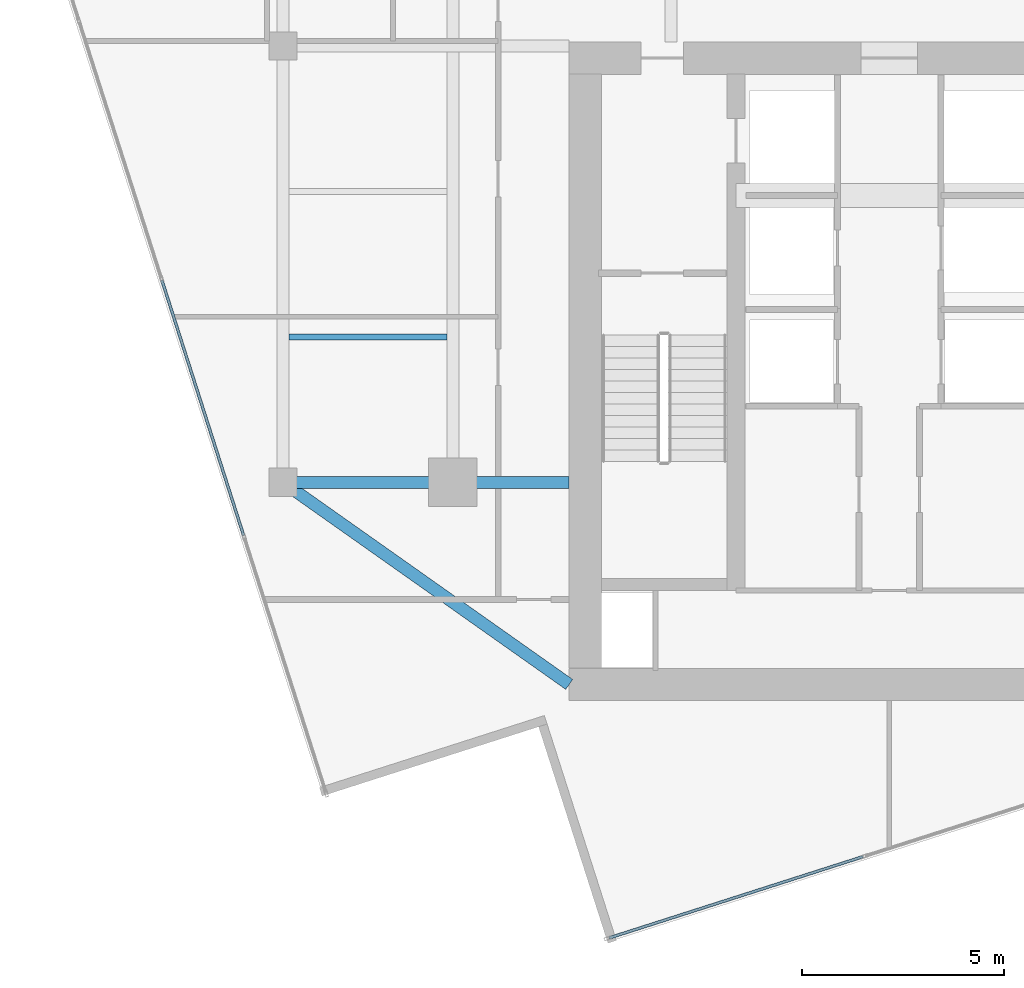
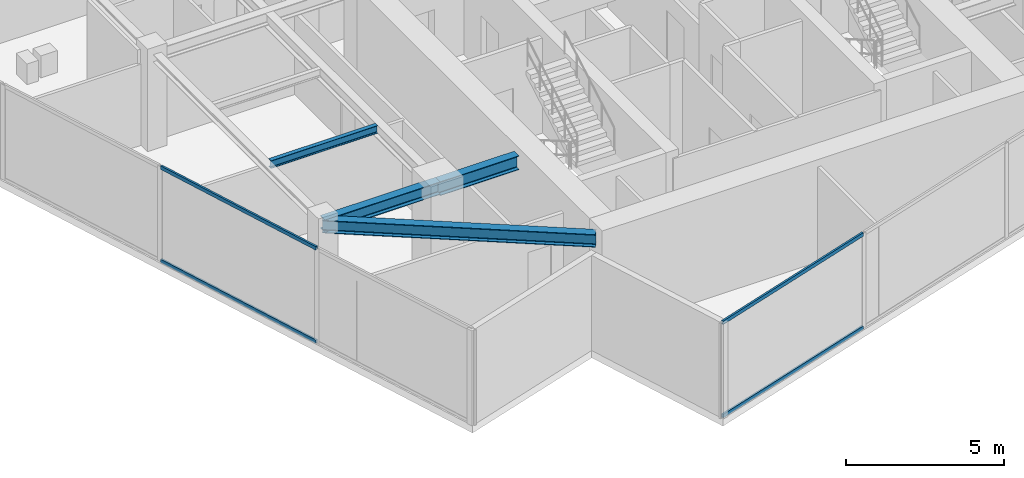
# One storey, part 3 of 21: 4 beams, 4 members, 2 elements without a shape of their own.
"""IFC4 building model written with IfcOpenShell, lengths in metres."""

from ifc_helpers import new_model, si_unit, direction, frame, origin, origin_2d, place, context, subcontext, project, spatial, hollow_rectangle, i_section, extrude, source, transform, mapped, material, material_profile, profile_set, type_object, type_shapes, element, aggregate, save


model = new_model("IFC4")

# Units and contexts
model_context = context("Model", 3, precision=1e-05, world=origin(), true_north=direction((0.0, 1.0)))
body_context = subcontext(model_context, "Body", "Model", "MODEL_VIEW")
ifc_project = project(units=[si_unit("LENGTHUNIT", "METRE"), si_unit("AREAUNIT", "SQUARE_METRE"), si_unit("VOLUMEUNIT", "CUBIC_METRE"), si_unit("PLANEANGLEUNIT", "RADIAN"), si_unit("MASSUNIT", "GRAM", prefix="KILO")], contexts=[model_context])

# Site, building, storey
site_placement = place(None, origin())
site = spatial("IfcSite", under=ifc_project, at=site_placement, CompositionType="ELEMENT")
building_placement = place(site_placement, origin())
building = spatial("IfcBuilding", under=site, at=building_placement, Name="Krantzveldt Concourse Tower", CompositionType="ELEMENT")
storey_placement = place(building_placement, frame((0.0, 0.0, 343.5)))
storey = spatial("IfcBuildingStorey", under=building, at=storey_placement, Name="L84", CompositionType="ELEMENT", Elevation=343.5)

# Beams
ifc_material_1 = material(Name="Steel S355JR", Category="steel")
ifc_material_profile_1 = material_profile(ifc_material_1, i_section(OverallWidth=0.300048828125, OverallDepth=0.489990234375, WebThickness=0.011962890625, FlangeThickness=0.02294921875, FilletRadius=0.027099609375, at=origin_2d()), Name="Steel S355JR", Category="steel")
ifc_profile_set_1 = profile_set([ifc_material_profile_1], Name="Steel S355JR - HEA 500")
beam_type_1 = type_object("IfcBeamType", Name="BM-B-HEA500", PredefinedType="BEAM", material=ifc_profile_set_1)
shared_shape_1 = source(origin(), body_context, "Body", "SweptSolid", [
    extrude(i_section(OverallWidth=0.300048828125, OverallDepth=0.489990234375, WebThickness=0.011962890625, FlangeThickness=0.02294921875, FilletRadius=0.027099609375, at=origin_2d()), origin(), (0.0, 0.0, 1.0), 4.199951171875),
])
beam_1_placement = place(storey_placement, frame((21.0, 15.89990234375, 3.425048828125), z_axis=(1.0, 0.0, 0.0), x_axis=(0.0, 1.0, 0.0)))
element("IfcBeam", 1, at=beam_1_placement, inside=storey, type_object=beam_type_1, Name="L84 Tower Girder BR-RL1", PredefinedType="BEAM", context=body_context, shape_type="MappedRepresentation", body=[
    mapped(shared_shape_1, transform((0.0, 0.0, 0.0), x_axis=(1.0, 0.0, 0.0), y_axis=(0.0, 1.0, 0.0), z_axis=(0.0, 0.0, 1.0), scale=1.0)),
])
shared_shape_2 = source(origin(), body_context, "Body", "SweptSolid", [
    extrude(i_section(OverallWidth=0.300048828125, OverallDepth=0.489990234375, WebThickness=0.011962890625, FlangeThickness=0.02294921875, FilletRadius=0.027099609375, at=origin_2d()), origin(), (0.0, 0.0, 1.0), 8.667724609375),
])
type_shapes(beam_type_1, [shared_shape_1, shared_shape_2])
beam_2_placement = place(storey_placement, frame((21.0, 15.89990234375, 3.425048828125), z_axis=(0.81684294656, -0.576860122261, 0.0), x_axis=(0.576860122261, 0.81684294656, 0.0)))
element("IfcBeam", 2, at=beam_2_placement, inside=storey, type_object=beam_type_1, Name="L84 Tower Girder BR-CSW", PredefinedType="BEAM", context=body_context, shape_type="MappedRepresentation", body=[
    mapped(shared_shape_2, transform((0.0, 0.0, 0.0), x_axis=(1.0, 0.0, 0.0), y_axis=(0.0, 1.0, 0.0), z_axis=(0.0, 0.0, 1.0), scale=1.0)),
])
ifc_material_profile_2 = material_profile(ifc_material_1, i_section(OverallWidth=0.300048828125, OverallDepth=0.5400390625, WebThickness=0.012451171875, FlangeThickness=0.02392578125, FilletRadius=0.027099609375, at=origin_2d()), Name="Steel S355JR", Category="steel")
ifc_profile_set_2 = profile_set([ifc_material_profile_2], Name="Steel S355JR - HEA 550")
beam_type_2 = type_object("IfcBeamType", Name="BM-B-HEA550", PredefinedType="BEAM", material=ifc_profile_set_2)
shared_shape_3 = source(origin(), body_context, "Body", "SweptSolid", [
    extrude(i_section(OverallWidth=0.300048828125, OverallDepth=0.5400390625, WebThickness=0.012451171875, FlangeThickness=0.02392578125, FilletRadius=0.027099609375, at=origin_2d()), origin(), (0.0, 0.0, 1.0), 2.880126953125),
])
type_shapes(beam_type_2, [shared_shape_3])
beam_3_placement = place(storey_placement, frame((25.199951171875, 15.89990234375, 3.39990234375), z_axis=(1.0, 0.0, 0.0), x_axis=(0.0, 1.0, 0.0)))
element("IfcBeam", 3, at=beam_3_placement, inside=storey, type_object=beam_type_2, Name="L84 Tower Girder BG-CW1", PredefinedType="BEAM", context=body_context, shape_type="MappedRepresentation", body=[
    mapped(shared_shape_3, transform((0.0, 0.0, 0.0), x_axis=(1.0, 0.0, 0.0), y_axis=(0.0, 1.0, 0.0), z_axis=(0.0, 0.0, 1.0), scale=1.0)),
])
ifc_material_profile_3 = material_profile(ifc_material_1, i_section(OverallWidth=0.14990234375, OverallDepth=0.300048828125, WebThickness=0.007080078125, FlangeThickness=0.0107421875, FilletRadius=0.014892578125, at=origin_2d()), Name="Steel S355JR", Category="steel")
ifc_profile_set_3 = profile_set([ifc_material_profile_3], Name="Steel S355JR - IPE 300")
beam_type_3 = type_object("IfcBeamType", Name="BM-J-IPE300", PredefinedType="JOIST", material=ifc_profile_set_3)
shared_shape_4 = source(origin(), body_context, "Body", "SweptSolid", [
    extrude(i_section(OverallWidth=0.14990234375, OverallDepth=0.300048828125, WebThickness=0.007080078125, FlangeThickness=0.0107421875, FilletRadius=0.014892578125, at=origin_2d()), origin(), (0.0, 0.0, 1.0), 3.900146484375),
])
type_shapes(beam_type_3, [shared_shape_4])
beam_4_placement = place(storey_placement, frame((21.14990234375, 19.5, 3.52001953125), z_axis=(1.0, 0.0, 0.0), x_axis=(0.0, 1.0, 0.0)))
element("IfcBeam", 4, at=beam_4_placement, inside=storey, type_object=beam_type_3, Name="L84 Secondary Floor Joist JW-1", PredefinedType="JOIST", context=body_context, shape_type="MappedRepresentation", body=[
    mapped(shared_shape_4, transform((0.0, 0.0, 0.0), x_axis=(1.0, 0.0, 0.0), y_axis=(0.0, 1.0, 0.0), z_axis=(0.0, 0.0, 1.0), scale=1.0)),
])

# Curtain wall, members
ifc_material_2 = material(Name="Anodised aluminium 6063-T6", Category="aluminium")
curtain_wall_type = type_object("IfcCurtainWallType", Name="CW4", PredefinedType="USERDEFINED", material=ifc_material_2)
curtain_wall_1_placement = place(storey_placement, origin())
curtain_wall_1 = element("IfcCurtainWall", 5, at=curtain_wall_1_placement, inside=storey, type_object=curtain_wall_type, Name="CW-L84-F07", ObjectType="UNITISED CURTAIN WALL", PredefinedType="USERDEFINED")
ifc_material_profile_4 = material_profile(ifc_material_2, hollow_rectangle(XDim=0.070068359375, YDim=0.139892578125, WallThickness=0.0048828125, at=origin_2d()), Name="Anodised aluminium 6063-T6", Category="aluminium")
ifc_profile_set_4 = profile_set([ifc_material_profile_4], Name="Anodised aluminium 6063-T6 - ALU-TRAN 140x70x5")
member_type = type_object("IfcMemberType", Name="CW-TRN-150", PredefinedType="USERDEFINED", material=ifc_profile_set_4)
shared_shape_5 = source(origin(), body_context, "Body", "SweptSolid", [
    extrude(hollow_rectangle(XDim=0.070068359375, YDim=0.139892578125, WallThickness=0.0048828125, at=origin_2d()), origin(), (0.0, 0.0, 1.0), 6.594970703125),
])
member_1_placement = place(storey_placement, frame((29.069580078125, 4.62646484375, 0.034912109375), z_axis=(0.952398783715, 0.304854976635, 0.0), x_axis=(-0.304854976635, 0.952398783715, 0.0)))
member_1 = element("IfcMember", 6, at=member_1_placement, type_object=member_type, Name="CW-Z56 transom 1.1", ObjectType="TRANSOM", PredefinedType="USERDEFINED", context=body_context, shape_type="MappedRepresentation", body=[
    mapped(shared_shape_5, transform((0.0, 0.0, 0.0), x_axis=(1.0, 0.0, 0.0), y_axis=(0.0, 1.0, 0.0), z_axis=(0.0, 0.0, 1.0), scale=1.0)),
])
member_2_placement = place(storey_placement, frame((29.069580078125, 4.62646484375, 3.635009765625), z_axis=(0.952398783715, 0.304854976635, 0.0), x_axis=(-0.304854976635, 0.952398783715, 0.0)))
member_2 = element("IfcMember", 7, at=member_2_placement, type_object=member_type, Name="CW-Z56 transom 1.2", ObjectType="TRANSOM", PredefinedType="USERDEFINED", context=body_context, shape_type="MappedRepresentation", body=[
    mapped(shared_shape_5, transform((0.0, 0.0, 0.0), x_axis=(1.0, 0.0, 0.0), y_axis=(0.0, 1.0, 0.0), z_axis=(0.0, 0.0, 1.0), scale=1.0)),
])
aggregate(curtain_wall_1, [member_1, member_2])

curtain_wall_2_placement = place(storey_placement, origin())
curtain_wall_2 = element("IfcCurtainWall", 8, at=curtain_wall_2_placement, inside=storey, type_object=curtain_wall_type, Name="CW-L84-F04", ObjectType="UNITISED CURTAIN WALL", PredefinedType="USERDEFINED")
shared_shape_6 = source(origin(), body_context, "Body", "SweptSolid", [
    extrude(hollow_rectangle(XDim=0.070068359375, YDim=0.139892578125, WallThickness=0.0048828125, at=origin_2d()), origin(), (0.0, 0.0, 1.0), 6.6298828125),
])
type_shapes(member_type, [shared_shape_5, shared_shape_6])
member_3_placement = place(storey_placement, frame((18.0009765625, 20.901611328125, 0.034912109375), z_axis=(0.304870592946, -0.952393784921, 0.0), x_axis=(0.952393784921, 0.304870592946, 0.0)))
member_3 = element("IfcMember", 9, at=member_3_placement, type_object=member_type, Name="CW-Z56 transom 3.1", ObjectType="TRANSOM", PredefinedType="USERDEFINED", context=body_context, shape_type="MappedRepresentation", body=[
    mapped(shared_shape_6, transform((0.0, 0.0, 0.0), x_axis=(1.0, 0.0, 0.0), y_axis=(0.0, 1.0, 0.0), z_axis=(0.0, 0.0, 1.0), scale=1.0)),
])
member_4_placement = place(storey_placement, frame((18.0009765625, 20.901611328125, 3.635009765625), z_axis=(0.304870592946, -0.952393784921, 0.0), x_axis=(0.952393784921, 0.304870592946, 0.0)))
member_4 = element("IfcMember", 10, at=member_4_placement, type_object=member_type, Name="CW-Z56 transom 3.2", ObjectType="TRANSOM", PredefinedType="USERDEFINED", context=body_context, shape_type="MappedRepresentation", body=[
    mapped(shared_shape_6, transform((0.0, 0.0, 0.0), x_axis=(1.0, 0.0, 0.0), y_axis=(0.0, 1.0, 0.0), z_axis=(0.0, 0.0, 1.0), scale=1.0)),
])
aggregate(curtain_wall_2, [member_3, member_4])

save(model, "model.ifc")
